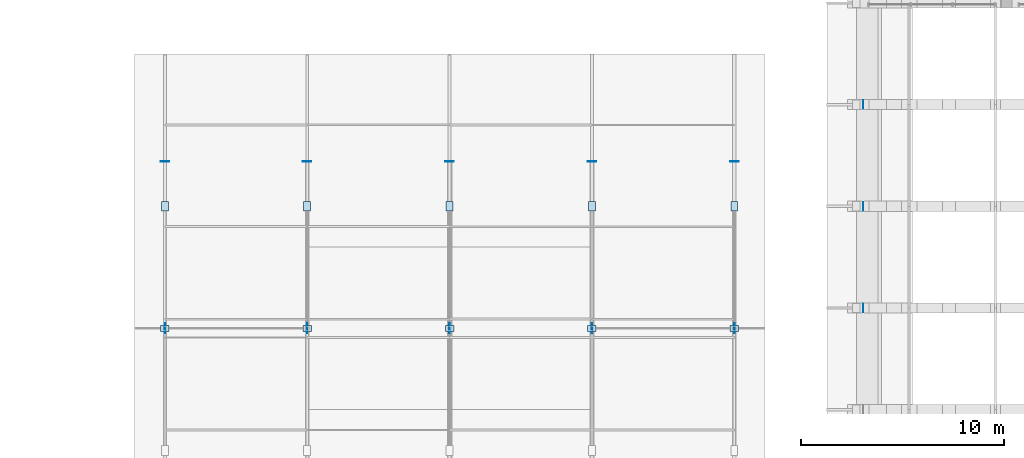
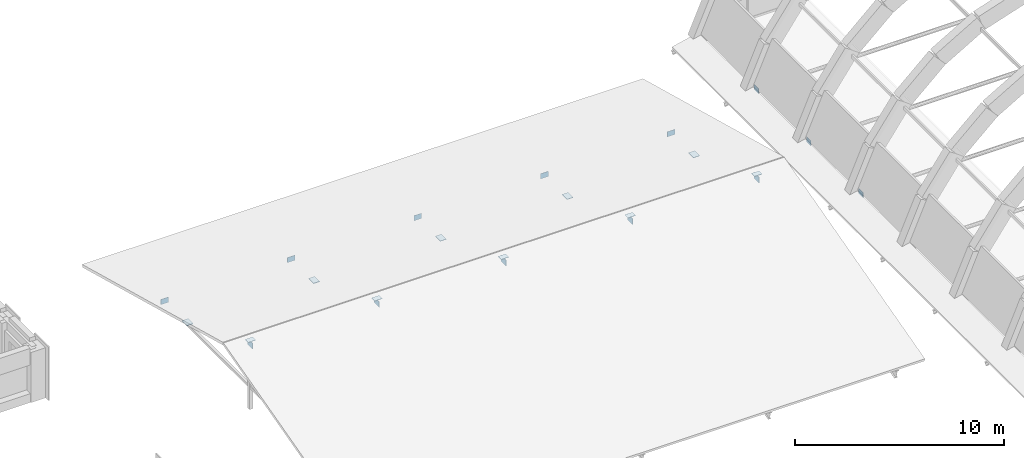
# One storey, part 32 of 76: 23 plates.
"""IFC4 building model written with IfcOpenShell, lengths in metres."""

from ifc_helpers import new_model, si_unit, direction, frame, origin, origin_2d, place, context, subcontext, project, spatial, rectangle, extrude, material, layer, layer_set, type_object, element, save


model = new_model("IFC4")

# Units and contexts
model_context = context("Model", 3, precision=1e-05, world=origin(), true_north=direction((0.0, 1.0)))
body_context = subcontext(model_context, "Body", "Model", "MODEL_VIEW")
ifc_project = project(units=[si_unit("LENGTHUNIT", "METRE"), si_unit("AREAUNIT", "SQUARE_METRE"), si_unit("VOLUMEUNIT", "CUBIC_METRE"), si_unit("PLANEANGLEUNIT", "RADIAN"), si_unit("MASSUNIT", "GRAM", prefix="KILO")], contexts=[model_context])

# Site, building, storey
site_placement = place(None, origin())
site = spatial("IfcSite", under=ifc_project, at=site_placement, CompositionType="ELEMENT")
building_placement = place(site_placement, origin())
building = spatial("IfcBuilding", under=site, at=building_placement, Name="Kiranvali Square Residences", CompositionType="ELEMENT")
storey_placement = place(building_placement, frame((0.0, 0.0, 8.699951171875)))
storey = spatial("IfcBuildingStorey", under=building, at=storey_placement, Name="L02", CompositionType="ELEMENT", Elevation=8.699951171875)

# Plates
ifc_material = material(Name="Structural steel E350", Category="steel")
ifc_layer_1 = layer(ifc_material, 0.02001953125)
ifc_layer_set_1 = layer_set([ifc_layer_1], Name="Structural steel E350")
plate_type_1 = type_object("IfcPlateType", Name="PLT-ENDCAP-20", PredefinedType="SHEET", material=ifc_layer_set_1)
for number, where, z_axis, x_axis, name in (
    (1, (72.340087890625, 69.0, -0.39990234375), (0.0, 0.0, 1.0), (1.0, 0.0, 0.0), "Vault tie rod end plate 6-W"),
    (2, (72.340087890625, 74.0, -0.39990234375), (0.0, 0.0, 1.0), (1.0, 0.0, 0.0), "Vault tie rod end plate 7-W"),
    (3, (72.340087890625, 79.0, -0.39990234375), (0.0, 0.0, 1.0), (1.0, 0.0, 0.0), "Vault tie rod end plate 8-W"),
):
    element("IfcPlate", number, at=place(storey_placement, frame(where, z_axis=z_axis, x_axis=x_axis)), inside=storey, type_object=plate_type_1, Name=name, PredefinedType="SHEET", context=body_context, shape_type="SweptSolid", body=[
        extrude(rectangle(XDim=0.02001953125, YDim=0.419921875, at=origin_2d()), origin(), (0.0, 0.0, 1.0), 0.300048828125),
    ])
plate_1_placement = place(storey_placement, frame((38.0, 68.0, 3.789306640625), z_axis=(0.0, 0.0, 1.0), x_axis=(1.0, 0.0, 0.0)))
element("IfcPlate", 4, at=plate_1_placement, inside=storey, type_object=plate_type_1, Name="Nursery Pavilion ridge king-post cap plate 1", PredefinedType="SHEET", context=body_context, shape_type="SweptSolid", body=[
    extrude(rectangle(XDim=0.419921875, YDim=0.300048828125, at=origin_2d()), origin(), (0.0, 0.0, 1.0), 0.02001953125),
])
plate_2_placement = place(storey_placement, frame((38.0, 76.2119140625, 0.9501953125), z_axis=(0.0, 0.0, 1.0), x_axis=(1.0, 0.0, 0.0)))
element("IfcPlate", 5, at=plate_2_placement, inside=storey, type_object=plate_type_1, Name="Nursery Pavilion chord end-cap plate 1-N", PredefinedType="SHEET", context=body_context, shape_type="SweptSolid", body=[
    extrude(rectangle(XDim=0.419921875, YDim=0.02001953125, at=origin_2d()), origin(), (0.0, 0.0, 1.0), 0.300048828125),
])
plate_3_placement = place(storey_placement, frame((45.0, 68.0, 3.764404296875), z_axis=(0.0, 0.0, 1.0), x_axis=(1.0, 0.0, 0.0)))
element("IfcPlate", 6, at=plate_3_placement, inside=storey, type_object=plate_type_1, Name="Nursery Pavilion ridge king-post cap plate 2", PredefinedType="SHEET", context=body_context, shape_type="SweptSolid", body=[
    extrude(rectangle(XDim=0.419921875, YDim=0.300048828125, at=origin_2d()), origin(), (0.0, 0.0, 1.0), 0.02001953125),
])
plate_4_placement = place(storey_placement, frame((45.0, 76.2119140625, 0.9501953125), z_axis=(0.0, 0.0, 1.0), x_axis=(1.0, 0.0, 0.0)))
element("IfcPlate", 7, at=plate_4_placement, inside=storey, type_object=plate_type_1, Name="Nursery Pavilion chord end-cap plate 2-N", PredefinedType="SHEET", context=body_context, shape_type="SweptSolid", body=[
    extrude(rectangle(XDim=0.419921875, YDim=0.02001953125, at=origin_2d()), origin(), (0.0, 0.0, 1.0), 0.300048828125),
])
plate_5_placement = place(storey_placement, frame((52.0, 68.0, 3.7392578125), z_axis=(0.0, 0.0, 1.0), x_axis=(1.0, 0.0, 0.0)))
element("IfcPlate", 8, at=plate_5_placement, inside=storey, type_object=plate_type_1, Name="Nursery Pavilion ridge king-post cap plate 3", PredefinedType="SHEET", context=body_context, shape_type="SweptSolid", body=[
    extrude(rectangle(XDim=0.419921875, YDim=0.300048828125, at=origin_2d()), origin(), (0.0, 0.0, 1.0), 0.02001953125),
])
plate_6_placement = place(storey_placement, frame((52.0, 76.2119140625, 0.9501953125), z_axis=(0.0, 0.0, 1.0), x_axis=(1.0, 0.0, 0.0)))
element("IfcPlate", 9, at=plate_6_placement, inside=storey, type_object=plate_type_1, Name="Nursery Pavilion chord end-cap plate 3-N", PredefinedType="SHEET", context=body_context, shape_type="SweptSolid", body=[
    extrude(rectangle(XDim=0.419921875, YDim=0.02001953125, at=origin_2d()), origin(), (0.0, 0.0, 1.0), 0.300048828125),
])
plate_7_placement = place(storey_placement, frame((59.0, 68.0, 3.71435546875), z_axis=(0.0, 0.0, 1.0), x_axis=(1.0, 0.0, 0.0)))
element("IfcPlate", 10, at=plate_7_placement, inside=storey, type_object=plate_type_1, Name="Nursery Pavilion ridge king-post cap plate 4", PredefinedType="SHEET", context=body_context, shape_type="SweptSolid", body=[
    extrude(rectangle(XDim=0.419921875, YDim=0.300048828125, at=origin_2d()), origin(), (0.0, 0.0, 1.0), 0.02001953125),
])
plate_8_placement = place(storey_placement, frame((59.0, 76.2119140625, 0.9501953125), z_axis=(0.0, 0.0, 1.0), x_axis=(1.0, 0.0, 0.0)))
element("IfcPlate", 11, at=plate_8_placement, inside=storey, type_object=plate_type_1, Name="Nursery Pavilion chord end-cap plate 4-N", PredefinedType="SHEET", context=body_context, shape_type="SweptSolid", body=[
    extrude(rectangle(XDim=0.419921875, YDim=0.02001953125, at=origin_2d()), origin(), (0.0, 0.0, 1.0), 0.300048828125),
])
plate_9_placement = place(storey_placement, frame((66.0, 68.0, 3.689453125), z_axis=(0.0, 0.0, 1.0), x_axis=(1.0, 0.0, 0.0)))
element("IfcPlate", 12, at=plate_9_placement, inside=storey, type_object=plate_type_1, Name="Nursery Pavilion ridge king-post cap plate 5", PredefinedType="SHEET", context=body_context, shape_type="SweptSolid", body=[
    extrude(rectangle(XDim=0.419921875, YDim=0.300048828125, at=origin_2d()), origin(), (0.0, 0.0, 1.0), 0.02001953125),
])
plate_10_placement = place(storey_placement, frame((66.0, 76.2119140625, 0.9501953125), z_axis=(0.0, 0.0, 1.0), x_axis=(1.0, 0.0, 0.0)))
element("IfcPlate", 13, at=plate_10_placement, inside=storey, type_object=plate_type_1, Name="Nursery Pavilion chord end-cap plate 5-N", PredefinedType="SHEET", context=body_context, shape_type="SweptSolid", body=[
    extrude(rectangle(XDim=0.419921875, YDim=0.02001953125, at=origin_2d()), origin(), (0.0, 0.0, 1.0), 0.300048828125),
])
ifc_layer_2 = layer(ifc_material, 0.02490234375)
ifc_layer_set_2 = layer_set([ifc_layer_2], Name="Structural steel E350")
plate_type_2 = type_object("IfcPlateType", Name="PLT-GUSSET-25", PredefinedType="USERDEFINED", material=ifc_layer_set_2)
plate_11_placement = place(storey_placement, frame((38.0, 68.0, 3.4072265625), z_axis=(0.0, 0.0, 1.0), x_axis=(1.0, 0.0, 0.0)))
element("IfcPlate", 14, at=plate_11_placement, inside=storey, type_object=plate_type_2, Name="Nursery Pavilion ridge truss gusset plate 1", ObjectType="GUSSET PLATE", PredefinedType="USERDEFINED", context=body_context, shape_type="SweptSolid", body=[
    extrude(rectangle(XDim=0.02490234375, YDim=0.47998046875, at=origin_2d()), origin(), (0.0, 0.0, 1.0), 0.340087890625),
])
plate_12_placement = place(storey_placement, frame((38.0, 74.0, 1.176513671875), z_axis=(0.0, 0.0, 1.0), x_axis=(1.0, 0.0, 0.0)))
element("IfcPlate", 15, at=plate_12_placement, inside=storey, type_object=plate_type_2, Name="Nursery Pavilion bottom chord brace gusset plate 1-N", ObjectType="GUSSET PLATE", PredefinedType="USERDEFINED", context=body_context, shape_type="SweptSolid", body=[
    extrude(rectangle(XDim=0.340087890625, YDim=0.47998046875, at=origin_2d()), origin(), (0.0, 0.0, 1.0), 0.02490234375),
])
plate_13_placement = place(storey_placement, frame((45.0, 68.0, 3.38232421875), z_axis=(0.0, 0.0, 1.0), x_axis=(1.0, 0.0, 0.0)))
element("IfcPlate", 16, at=plate_13_placement, inside=storey, type_object=plate_type_2, Name="Nursery Pavilion ridge truss gusset plate 2", ObjectType="GUSSET PLATE", PredefinedType="USERDEFINED", context=body_context, shape_type="SweptSolid", body=[
    extrude(rectangle(XDim=0.02490234375, YDim=0.47998046875, at=origin_2d()), origin(), (0.0, 0.0, 1.0), 0.340087890625),
])
plate_14_placement = place(storey_placement, frame((45.0, 74.0, 1.191650390625), z_axis=(0.0, 0.0, 1.0), x_axis=(1.0, 0.0, 0.0)))
element("IfcPlate", 17, at=plate_14_placement, inside=storey, type_object=plate_type_2, Name="Nursery Pavilion bottom chord brace gusset plate 2-N", ObjectType="GUSSET PLATE", PredefinedType="USERDEFINED", context=body_context, shape_type="SweptSolid", body=[
    extrude(rectangle(XDim=0.340087890625, YDim=0.47998046875, at=origin_2d()), origin(), (0.0, 0.0, 1.0), 0.02490234375),
])
plate_15_placement = place(storey_placement, frame((52.0, 68.0, 3.357421875), z_axis=(0.0, 0.0, 1.0), x_axis=(1.0, 0.0, 0.0)))
element("IfcPlate", 18, at=plate_15_placement, inside=storey, type_object=plate_type_2, Name="Nursery Pavilion ridge truss gusset plate 3", ObjectType="GUSSET PLATE", PredefinedType="USERDEFINED", context=body_context, shape_type="SweptSolid", body=[
    extrude(rectangle(XDim=0.02490234375, YDim=0.47998046875, at=origin_2d()), origin(), (0.0, 0.0, 1.0), 0.340087890625),
])
plate_16_placement = place(storey_placement, frame((52.0, 74.0, 1.211669921875), z_axis=(0.0, 0.0, 1.0), x_axis=(1.0, 0.0, 0.0)))
element("IfcPlate", 19, at=plate_16_placement, inside=storey, type_object=plate_type_2, Name="Nursery Pavilion bottom chord brace gusset plate 3-N", ObjectType="GUSSET PLATE", PredefinedType="USERDEFINED", context=body_context, shape_type="SweptSolid", body=[
    extrude(rectangle(XDim=0.340087890625, YDim=0.47998046875, at=origin_2d()), origin(), (0.0, 0.0, 1.0), 0.02490234375),
])
plate_17_placement = place(storey_placement, frame((59.0, 68.0, 3.33251953125), z_axis=(0.0, 0.0, 1.0), x_axis=(1.0, 0.0, 0.0)))
element("IfcPlate", 20, at=plate_17_placement, inside=storey, type_object=plate_type_2, Name="Nursery Pavilion ridge truss gusset plate 4", ObjectType="GUSSET PLATE", PredefinedType="USERDEFINED", context=body_context, shape_type="SweptSolid", body=[
    extrude(rectangle(XDim=0.02490234375, YDim=0.47998046875, at=origin_2d()), origin(), (0.0, 0.0, 1.0), 0.340087890625),
])
plate_18_placement = place(storey_placement, frame((59.0, 74.0, 1.198486328125), z_axis=(0.0, 0.0, 1.0), x_axis=(1.0, 0.0, 0.0)))
element("IfcPlate", 21, at=plate_18_placement, inside=storey, type_object=plate_type_2, Name="Nursery Pavilion bottom chord brace gusset plate 4-N", ObjectType="GUSSET PLATE", PredefinedType="USERDEFINED", context=body_context, shape_type="SweptSolid", body=[
    extrude(rectangle(XDim=0.340087890625, YDim=0.47998046875, at=origin_2d()), origin(), (0.0, 0.0, 1.0), 0.02490234375),
])
plate_19_placement = place(storey_placement, frame((66.0, 68.0, 3.30712890625), z_axis=(0.0, 0.0, 1.0), x_axis=(1.0, 0.0, 0.0)))
element("IfcPlate", 22, at=plate_19_placement, inside=storey, type_object=plate_type_2, Name="Nursery Pavilion ridge truss gusset plate 5", ObjectType="GUSSET PLATE", PredefinedType="USERDEFINED", context=body_context, shape_type="SweptSolid", body=[
    extrude(rectangle(XDim=0.02490234375, YDim=0.47998046875, at=origin_2d()), origin(), (0.0, 0.0, 1.0), 0.340087890625),
])
plate_20_placement = place(storey_placement, frame((66.0, 74.0, 1.18408203125), z_axis=(0.0, 0.0, 1.0), x_axis=(1.0, 0.0, 0.0)))
element("IfcPlate", 23, at=plate_20_placement, inside=storey, type_object=plate_type_2, Name="Nursery Pavilion bottom chord brace gusset plate 5-N", ObjectType="GUSSET PLATE", PredefinedType="USERDEFINED", context=body_context, shape_type="SweptSolid", body=[
    extrude(rectangle(XDim=0.340087890625, YDim=0.47998046875, at=origin_2d()), origin(), (0.0, 0.0, 1.0), 0.02490234375),
])

save(model, "model.ifc")
